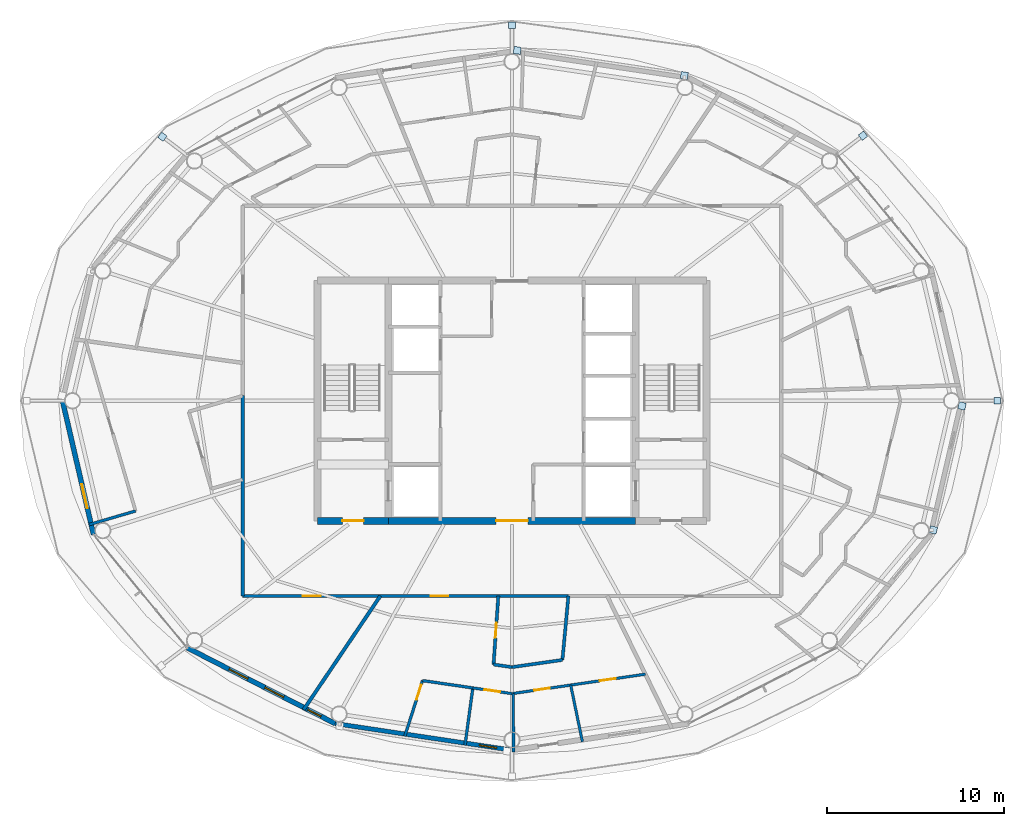
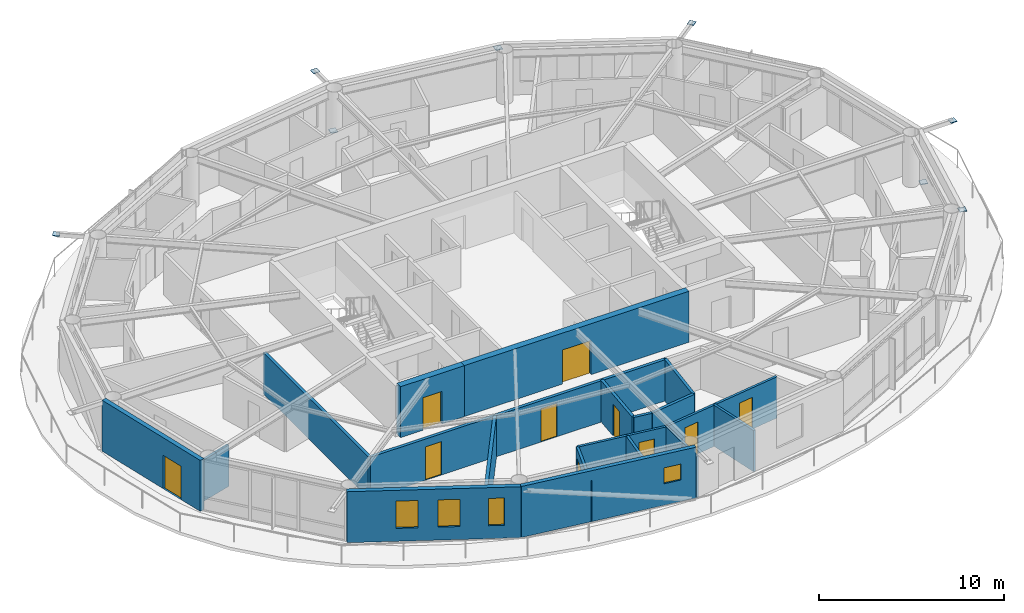
# One storey, part 15 of 23: 20 walls, 10 doors, 8 plates, 4 windows, 14 openings.
"""IFC4 building model written with IfcOpenShell, lengths in metres."""

from ifc_helpers import new_model, si_unit, direction, frame, frame_2d, origin, origin_2d, place, context, subcontext, project, spatial, rectangle, extrude, material, layer, layer_set, type_object, element, fill, save


model = new_model("IFC4")

# Units and contexts
model_context = context("Model", 3, precision=1e-05, world=origin(), true_north=direction((0.0, 1.0)))
body_context = subcontext(model_context, "Body", "Model", "MODEL_VIEW")
ifc_project = project(units=[si_unit("LENGTHUNIT", "METRE"), si_unit("AREAUNIT", "SQUARE_METRE"), si_unit("VOLUMEUNIT", "CUBIC_METRE"), si_unit("PLANEANGLEUNIT", "RADIAN"), si_unit("MASSUNIT", "GRAM", prefix="KILO")], contexts=[model_context])

# Site, building, storey
site_placement = place(None, origin())
site = spatial("IfcSite", under=ifc_project, at=site_placement, CompositionType="ELEMENT")
building_placement = place(site_placement, origin())
building = spatial("IfcBuilding", under=site, at=building_placement, Name="Sarneth Arch Tower", CompositionType="ELEMENT")
storey_placement = place(building_placement, frame((0.0, 0.0, 231.60009765625)))
storey = spatial("IfcBuildingStorey", under=building, at=storey_placement, Name="L59", CompositionType="ELEMENT", Elevation=231.60009765625)

# Plates
ifc_material_1 = material(Name="Steel S355", Category="steel")
ifc_layer_1 = layer(ifc_material_1, 0.035888671875)
ifc_layer_set_1 = layer_set([ifc_layer_1], Name="Steel S355")
plate_type = type_object("IfcPlateType", Name="PLT-GUSSET-30", PredefinedType="SHEET", material=ifc_layer_set_1)
for number, where, z_axis, x_axis, name in (
    (1, (75.47900390625, 42.0, 3.18212890625), (0.0, 0.0, 1.0), (1.0, 0.0, 0.0), "Steel end cap plate GP-1"),
    (2, (67.86865234375, 57.006591796875, 3.18212890625), (0.0, 0.0, 1.0), (0.798004853043, 0.602651022168, 0.0), "Steel end cap plate GP-1"),
):
    element("IfcPlate", number, at=place(storey_placement, frame(where, z_axis=z_axis, x_axis=x_axis)), inside=storey, type_object=plate_type, Name=name, PredefinedType="SHEET", context=body_context, shape_type="SweptSolid", body=[
        extrude(rectangle(XDim=0.3798828125, YDim=0.3798828125, at=origin_2d()), origin(), (0.0, 0.0, 1.0), 0.035888671875),
    ])
for number, where, z_axis, x_axis, name in (
    (3, (48.296630859375, 61.83544921875, 0.001953125), (0.0, 0.0, 1.0), (-0.988860535448, 0.148845024885, 0.0), "Steel end cap plate GP-1"),
    (4, (57.754150390625, 60.411376953125, 3.0185546875), (0.0, 0.0, 1.0), (-0.988860535448, 0.148845024885, 0.0), "Steel end cap plate GP-1"),
):
    element("IfcPlate", number, at=place(storey_placement, frame(where, z_axis=z_axis, x_axis=x_axis)), inside=storey, type_object=plate_type, Name=name, PredefinedType="SHEET", context=body_context, shape_type="SweptSolid", body=[
        extrude(rectangle(XDim=0.404052734375, YDim=0.404052734375, at=origin_2d()), origin(), (0.0, 0.0, 1.0), 0.035888671875),
    ])
for number, where, z_axis, x_axis, name in (
    (5, (48.0, 63.254150390625, 3.18212890625), (0.0, 0.0, 1.0), (0.0, 1.0, 0.0), "Steel end cap plate GP-1"),
    (6, (28.20751953125, 56.948974609375, 3.18212890625), (0.0, 0.0, 1.0), (-0.798004853043, 0.602651022168, 0.0), "Steel end cap plate GP-1"),
):
    element("IfcPlate", number, at=place(storey_placement, frame(where, z_axis=z_axis, x_axis=x_axis)), inside=storey, type_object=plate_type, Name=name, PredefinedType="SHEET", context=body_context, shape_type="SweptSolid", body=[
        extrude(rectangle(XDim=0.3798828125, YDim=0.3798828125, at=origin_2d()), origin(), (0.0, 0.0, 1.0), 0.035888671875),
    ])
for number, where, z_axis, x_axis, name in (
    (7, (73.4765625, 41.707763671875, 0.001953125), (0.0, 0.0, 1.0), (0.225461202458, 0.974252147129, 0.0), "Steel end cap plate GP-1"),
    (8, (71.851806640625, 34.6845703125, 3.0185546875), (0.0, 0.0, 1.0), (0.225461202458, 0.974252147129, 0.0), "Steel end cap plate GP-1"),
):
    element("IfcPlate", number, at=place(storey_placement, frame(where, z_axis=z_axis, x_axis=x_axis)), inside=storey, type_object=plate_type, Name=name, PredefinedType="SHEET", context=body_context, shape_type="SweptSolid", body=[
        extrude(rectangle(XDim=0.404052734375, YDim=0.404052734375, at=origin_2d()), origin(), (0.0, 0.0, 1.0), 0.035888671875),
    ])

# Wall, opening, door
ifc_material_2 = material(Name="Concrete C50/60", Category="concrete")
ifc_layer_2 = layer(ifc_material_2, 0.39990234375)
ifc_layer_set_2 = layer_set([ifc_layer_2], Name="Concrete C50/60")
wall_type_1 = type_object("IfcWallType", Name="WALL-CORE-400", PredefinedType="SHEAR", material=ifc_layer_set_2)
wall_1_placement = place(storey_placement, frame((37.0, 35.199951171875, 0.0), z_axis=(0.0, 0.0, 1.0), x_axis=(1.0, 0.0, 0.0)))
wall_1 = element("IfcWall", 9, at=wall_1_placement, inside=storey, type_object=wall_type_1, Name="L59 Core shear wall S-W", PredefinedType="SHEAR", context=body_context, shape_type="SweptSolid", body=[
    extrude(rectangle(XDim=4.0, YDim=0.39990234375, at=frame_2d((2.0, 0.0))), origin(), (0.0, 0.0, 1.0), 3.35986328125),
])
opening_1_placement = place(wall_1_placement, frame((1.39990234375, 0.0, 0.0)))
opening_1 = element("IfcOpeningElement", 10, at=opening_1_placement, cuts=wall_1, Name="Opening FD-02", PredefinedType="OPENING", context=body_context, shape_type="SweptSolid", body=[
    extrude(rectangle(XDim=1.199951171875, YDim=2.14990234375, at=frame_2d((0.60009765625, 1.074951171875))), frame((0.0, 0.2099609375, 0.0), z_axis=(0.0, -1.0, 0.0), x_axis=(1.0, 0.0, 0.0)), (0.0, 0.0, 1.0), 0.419921875),
])
ifc_material_3 = material(Name="Galvanised Steel S275 fire door set", Category="steel")
door_type_1 = type_object("IfcDoorType", Name="DR-FD90-1200", OperationType="SINGLE_SWING_LEFT", PredefinedType="DOOR", material=ifc_material_3)
door_1_placement = place(opening_1_placement, origin())
door_1 = element("IfcDoor", 11, at=door_1_placement, inside=storey, type_object=door_type_1, Name="L59 Firefighting lobby 1 exit door", OperationType="SINGLE_SWING_LEFT", OverallHeight=2.14990234375, OverallWidth=1.199951171875, PredefinedType="DOOR", context=body_context, shape_type="SweptSolid", body=[
    extrude(rectangle(XDim=1.199951171875, YDim=2.14990234375, at=frame_2d((0.60009765625, 1.074951171875))), frame((0.0, 0.02490234375, 0.0), z_axis=(0.0, -1.0, 0.0), x_axis=(1.0, 0.0, 0.0)), (0.0, 0.0, 1.0), 0.050048828125),
])
fill(opening_1, door_1)

wall_2_placement = place(storey_placement, frame((41.0, 35.199951171875, 0.0), z_axis=(0.0, 0.0, 1.0), x_axis=(1.0, 0.0, 0.0)))
wall_2 = element("IfcWall", 12, at=wall_2_placement, inside=storey, type_object=wall_type_1, Name="L59 Core shear wall S-M", PredefinedType="SHEAR", context=body_context, shape_type="SweptSolid", body=[
    extrude(rectangle(XDim=14.0, YDim=0.39990234375, at=frame_2d((7.0, 0.0))), origin(), (0.0, 0.0, 1.0), 3.35986328125),
])
opening_2_placement = place(wall_2_placement, frame((6.10009765625, 0.0, 0.0)))
opening_2 = element("IfcOpeningElement", 13, at=opening_2_placement, cuts=wall_2, Name="Opening FD-01", PredefinedType="OPENING", context=body_context, shape_type="SweptSolid", body=[
    extrude(rectangle(XDim=1.800048828125, YDim=2.25, at=frame_2d((0.89990234375, 1.125))), frame((0.0, 0.2099609375, 0.0), z_axis=(0.0, -1.0, 0.0), x_axis=(1.0, 0.0, 0.0)), (0.0, 0.0, 1.0), 0.419921875),
])
ifc_material_4 = material(Name="Galvanised Steel S275 fire door set", Category="steel")
door_type_2 = type_object("IfcDoorType", Name="DR-FD90-1800", OperationType="DOUBLE_DOOR_SINGLE_SWING", PredefinedType="DOOR", material=ifc_material_4)
door_2_placement = place(opening_2_placement, origin())
door_2 = element("IfcDoor", 14, at=door_2_placement, inside=storey, type_object=door_type_2, Name="L59 Central lift lobby south door", OperationType="DOUBLE_DOOR_SINGLE_SWING", OverallHeight=2.25, OverallWidth=1.800048828125, PredefinedType="DOOR", context=body_context, shape_type="SweptSolid", body=[
    extrude(rectangle(XDim=1.800048828125, YDim=2.25, at=frame_2d((0.89990234375, 1.125))), frame((0.0, 0.02490234375, 0.0), z_axis=(0.0, -1.0, 0.0), x_axis=(1.0, 0.0, 0.0)), (0.0, 0.0, 1.0), 0.050048828125),
])
fill(opening_2, door_2)

# Wall, openings, doors
ifc_material_5 = material(Name="Double steel-stud corridor fire wall", Category="steel")
ifc_layer_3 = layer(ifc_material_5, 0.18994140625)
ifc_layer_set_3 = layer_set([ifc_layer_3], Name="Double steel-stud corridor fire wall")
wall_type_2 = type_object("IfcWallType", Name="WALL-CORR-190", PredefinedType="PARTITIONING", material=ifc_layer_set_3)
wall_3_placement = place(storey_placement, frame((51.2255859375, 30.949951171875, 0.0), z_axis=(0.0, 0.0, 1.0), x_axis=(-1.0, 0.0, 0.0)))
wall_3 = element("IfcWall", 15, at=wall_3_placement, inside=storey, type_object=wall_type_2, Name="L59 Interior partition W-L59-TP-010", PredefinedType="PARTITIONING", context=body_context, shape_type="SweptSolid", body=[
    extrude(rectangle(XDim=18.4755859375, YDim=0.18994140625, at=frame_2d((9.23779296875, 0.0))), origin(), (0.0, 0.0, 1.0), 2.719970703125),
])
opening_3_placement = place(wall_3_placement, frame((14.057861328125, 0.0, 0.0)))
opening_3 = element("IfcOpeningElement", 16, at=opening_3_placement, cuts=wall_3, Name="Opening FD-08", PredefinedType="OPENING", context=body_context, shape_type="SweptSolid", body=[
    extrude(rectangle(XDim=1.0, YDim=2.199951171875, at=frame_2d((0.5, 1.10009765625))), frame((0.0, 0.10498046875, 0.0), z_axis=(0.0, -1.0, 0.0), x_axis=(1.0, 0.0, 0.0)), (0.0, 0.0, 1.0), 0.2099609375),
])
opening_4_placement = place(wall_3_placement, frame((6.838623046875, 0.0, 0.0)))
opening_4 = element("IfcOpeningElement", 17, at=opening_4_placement, cuts=wall_3, Name="Opening FD-08", PredefinedType="OPENING", context=body_context, shape_type="SweptSolid", body=[
    extrude(rectangle(XDim=1.0, YDim=2.199951171875, at=frame_2d((0.5, 1.10009765625))), frame((0.0, 0.10498046875, 0.0), z_axis=(0.0, -1.0, 0.0), x_axis=(1.0, 0.0, 0.0)), (0.0, 0.0, 1.0), 0.2099609375),
])
ifc_material_6 = material(Name="Hardwood timber acoustic fire door", Category="wood")
door_type_3 = type_object("IfcDoorType", Name="DR-FD60-1000", OperationType="SINGLE_SWING_LEFT", PredefinedType="DOOR", material=ifc_material_6)
door_3_placement = place(opening_3_placement, origin())
door_3 = element("IfcDoor", 18, at=door_3_placement, inside=storey, type_object=door_type_3, Name="L59 Interior door DR-L59-U4-ENT", OperationType="SINGLE_SWING_RIGHT", OverallHeight=2.199951171875, OverallWidth=1.0, PredefinedType="DOOR", context=body_context, shape_type="SweptSolid", body=[
    extrude(rectangle(XDim=1.0, YDim=2.199951171875, at=frame_2d((0.5, 1.10009765625))), frame((0.0, 0.02490234375, 0.0), z_axis=(0.0, -1.0, 0.0), x_axis=(1.0, 0.0, 0.0)), (0.0, 0.0, 1.0), 0.050048828125),
])
fill(opening_3, door_3)
door_4_placement = place(opening_4_placement, origin())
door_4 = element("IfcDoor", 19, at=door_4_placement, inside=storey, type_object=door_type_3, Name="L59 Interior door DR-L59-U5-ENT", OperationType="SINGLE_SWING_RIGHT", OverallHeight=2.199951171875, OverallWidth=1.0, PredefinedType="DOOR", context=body_context, shape_type="SweptSolid", body=[
    extrude(rectangle(XDim=1.0, YDim=2.199951171875, at=frame_2d((0.5, 1.10009765625))), frame((0.0, 0.02490234375, 0.0), z_axis=(0.0, -1.0, 0.0), x_axis=(1.0, 0.0, 0.0)), (0.0, 0.0, 1.0), 0.050048828125),
])
fill(opening_4, door_4)

# Wall
wall_4_placement = place(storey_placement, frame((32.75, 30.949951171875, 0.0), z_axis=(0.0, 0.0, 1.0), x_axis=(0.0, 1.0, 0.0)))
element("IfcWall", 20, at=wall_4_placement, inside=storey, type_object=wall_type_2, Name="L59 Interior partition W-L59-TP-011", PredefinedType="PARTITIONING", context=body_context, shape_type="SweptSolid", body=[
    extrude(rectangle(XDim=11.359619140625, YDim=0.18994140625, at=frame_2d((5.6796875, 0.0))), origin(), (0.0, 0.0, 1.0), 2.719970703125),
])

# Wall, opening, window
ifc_material_7 = material(Name="Extruded terracotta rainscreen on Concrete C40/50 backing", Category="masonry")
ifc_layer_4 = layer(ifc_material_7, 0.25)
ifc_layer_set_4 = layer_set([ifc_layer_4], Name="Extruded terracotta rainscreen on Concrete C40/50 backing")
wall_type_3 = type_object("IfcWallType", Name="WALL-EXT-SPAND-250", PredefinedType="SOLIDWALL", material=ifc_layer_set_4)
wall_5_placement = place(storey_placement, frame((37.9873046875, 23.7255859375, 0.0), z_axis=(0.0, 0.0, 1.0), x_axis=(0.988882522213, -0.148698881169, 0.0)))
wall_5 = element("IfcWall", 21, at=wall_5_placement, inside=storey, type_object=wall_type_3, Name="L59 Terracotta perimeter wall 12", PredefinedType="SOLIDWALL", context=body_context, shape_type="SweptSolid", body=[
    extrude(rectangle(XDim=10.125244140625, YDim=0.25, at=frame_2d((5.0625, 0.0))), origin(), (0.0, 0.0, 1.0), 3.35986328125),
])
opening_5_placement = place(wall_5_placement, frame((8.259033203125, 0.0, 1.419921875)))
opening_5 = element("IfcOpeningElement", 22, at=opening_5_placement, cuts=wall_5, Name="Opening W-14", PredefinedType="OPENING", context=body_context, shape_type="SweptSolid", body=[
    extrude(rectangle(XDim=1.0, YDim=1.050048828125, at=frame_2d((0.5, 0.52490234375))), frame((0.0, 0.135009765625, 0.0), z_axis=(0.0, -1.0, 0.0), x_axis=(1.0, 0.0, 0.0)), (0.0, 0.0, 1.0), 0.27001953125),
])
ifc_material_8 = material(Name="Thermally broken Aluminium 6063-T6 and low-e laminated IGU", Category="aluminium")
window_type_1 = type_object("IfcWindowType", Name="WIN-TWR-1000x1050", PartitioningType="SINGLE_PANEL", PredefinedType="WINDOW", material=ifc_material_8)
window_1_placement = place(opening_5_placement, origin())
window_1 = element("IfcWindow", 23, at=window_1_placement, inside=storey, type_object=window_type_1, Name="L59 Dwelling bedroom window 05", OverallHeight=1.050048828125, OverallWidth=1.0, PartitioningType="SINGLE_PANEL", PredefinedType="WINDOW", context=body_context, shape_type="SweptSolid", body=[
    extrude(rectangle(XDim=1.0, YDim=1.050048828125, at=frame_2d((0.5, 0.52490234375))), frame((0.0, 0.030029296875, 0.0), z_axis=(0.0, -1.0, 0.0), x_axis=(1.0, 0.0, 0.0)), (0.0, 0.0, 1.0), 0.06005859375),
])
fill(opening_5, window_1)

# Wall, opening, door
ifc_material_9 = material(Name="Extruded terracotta rainscreen on Concrete C40/50 backing", Category="masonry")
ifc_layer_5 = layer(ifc_material_9, 0.280029296875)
ifc_layer_set_5 = layer_set([ifc_layer_5], Name="Extruded terracotta rainscreen on Concrete C40/50 backing")
wall_type_4 = type_object("IfcWallType", Name="WALL-EXT-TERRA-280", PredefinedType="SOLIDWALL", material=ifc_layer_set_5)
wall_6_placement = place(storey_placement, frame((22.552978515625, 42.0, 0.0), z_axis=(0.0, 0.0, 1.0), x_axis=(0.225635078214, -0.974211892495, 0.0)))
wall_6 = element("IfcWall", 24, at=wall_6_placement, inside=storey, type_object=wall_type_4, Name="L59 Terracotta perimeter wall 09", PredefinedType="SOLIDWALL", context=body_context, shape_type="SweptSolid", body=[
    extrude(rectangle(XDim=7.77001953125, YDim=0.280029296875, at=frame_2d((3.885009765625, 0.0))), origin(), (0.0, 0.0, 1.0), 3.35986328125),
])
opening_6_placement = place(wall_6_placement, frame((4.842041015625, 0.0, 0.0)))
opening_6 = element("IfcOpeningElement", 25, at=opening_6_placement, cuts=wall_6, Name="Opening BD-2", PredefinedType="OPENING", context=body_context, shape_type="SweptSolid", body=[
    extrude(rectangle(XDim=1.39990234375, YDim=2.199951171875, at=frame_2d((0.699951171875, 1.10009765625))), frame((0.0, 0.14990234375, 0.0), z_axis=(0.0, -1.0, 0.0), x_axis=(1.0, 0.0, 0.0)), (0.0, 0.0, 1.0), 0.300048828125),
])
ifc_material_10 = material(Name="Thermally broken Aluminium 6063-T6 and laminated safety glass", Category="aluminium")
door_type_4 = type_object("IfcDoorType", Name="DR-BALC-GLZ-1400", OperationType="SINGLE_SWING_LEFT", PredefinedType="DOOR", material=ifc_material_10)
door_5_placement = place(opening_6_placement, origin())
door_5 = element("IfcDoor", 26, at=door_5_placement, inside=storey, type_object=door_type_4, Name="L59 Balcony glazed door 09", OperationType="SINGLE_SWING_LEFT", OverallHeight=2.199951171875, OverallWidth=1.39990234375, PredefinedType="DOOR", context=body_context, shape_type="SweptSolid", body=[
    extrude(rectangle(XDim=1.39990234375, YDim=2.199951171875, at=frame_2d((0.699951171875, 1.10009765625))), frame((0.0, 0.02490234375, 0.0), z_axis=(0.0, -1.0, 0.0), x_axis=(1.0, 0.0, 0.0)), (0.0, 0.0, 1.0), 0.050048828125),
])
fill(opening_6, door_5)

# Wall, openings, windows
wall_7_placement = place(storey_placement, frame((29.617431640625, 28.013427734375, 0.0), z_axis=(0.0, 0.0, 1.0), x_axis=(0.890007394051, -0.455946091699, 0.0)))
wall_7 = element("IfcWall", 27, at=wall_7_placement, inside=storey, type_object=wall_type_4, Name="L59 Terracotta perimeter wall 11", PredefinedType="SOLIDWALL", context=body_context, shape_type="SweptSolid", body=[
    extrude(rectangle(XDim=9.404296875, YDim=0.280029296875, at=frame_2d((4.7021484375, 0.0))), origin(), (0.0, 0.0, 1.0), 3.35986328125),
])
opening_7_placement = place(wall_7_placement, frame((2.653076171875, 0.0, 0.85009765625)))
opening_7 = element("IfcOpeningElement", 28, at=opening_7_placement, cuts=wall_7, Name="Opening W-09", PredefinedType="OPENING", context=body_context, shape_type="SweptSolid", body=[
    extrude(rectangle(XDim=1.199951171875, YDim=1.800048828125, at=frame_2d((0.60009765625, 0.89990234375))), frame((0.0, 0.14990234375, 0.0), z_axis=(0.0, -1.0, 0.0), x_axis=(1.0, 0.0, 0.0)), (0.0, 0.0, 1.0), 0.300048828125),
])
opening_8_placement = place(wall_7_placement, frame((4.930419921875, 0.0, 0.85009765625)))
opening_8 = element("IfcOpeningElement", 29, at=opening_8_placement, cuts=wall_7, Name="Opening W-09", PredefinedType="OPENING", context=body_context, shape_type="SweptSolid", body=[
    extrude(rectangle(XDim=1.199951171875, YDim=1.800048828125, at=frame_2d((0.60009765625, 0.89990234375))), frame((0.0, 0.14990234375, 0.0), z_axis=(0.0, -1.0, 0.0), x_axis=(1.0, 0.0, 0.0)), (0.0, 0.0, 1.0), 0.300048828125),
])
opening_9_placement = place(wall_7_placement, frame((7.66259765625, 0.0, 0.85009765625)))
opening_9 = element("IfcOpeningElement", 30, at=opening_9_placement, cuts=wall_7, Name="Opening W-12", PredefinedType="OPENING", context=body_context, shape_type="SweptSolid", body=[
    extrude(rectangle(XDim=0.85009765625, YDim=1.800048828125, at=frame_2d((0.425048828125, 0.89990234375))), frame((0.0, 0.14990234375, 0.0), z_axis=(0.0, -1.0, 0.0), x_axis=(1.0, 0.0, 0.0)), (0.0, 0.0, 1.0), 0.300048828125),
])
ifc_material_11 = material(Name="Thermally broken Aluminium 6063-T6 and low-e laminated IGU", Category="aluminium")
window_type_2 = type_object("IfcWindowType", Name="WIN-TWR-1200x1800", PartitioningType="SINGLE_PANEL", PredefinedType="WINDOW", material=ifc_material_11)
window_2_placement = place(opening_7_placement, origin())
window_2 = element("IfcWindow", 31, at=window_2_placement, inside=storey, type_object=window_type_2, Name="L59 Exterior window 11A", OverallHeight=1.800048828125, OverallWidth=1.199951171875, PartitioningType="SINGLE_PANEL", PredefinedType="WINDOW", context=body_context, shape_type="SweptSolid", body=[
    extrude(rectangle(XDim=1.199951171875, YDim=1.800048828125, at=frame_2d((0.60009765625, 0.89990234375))), frame((0.0, 0.030029296875, 0.0), z_axis=(0.0, -1.0, 0.0), x_axis=(1.0, 0.0, 0.0)), (0.0, 0.0, 1.0), 0.06005859375),
])
fill(opening_7, window_2)
window_3_placement = place(opening_8_placement, origin())
window_3 = element("IfcWindow", 32, at=window_3_placement, inside=storey, type_object=window_type_2, Name="L59 Exterior window 11B", OverallHeight=1.800048828125, OverallWidth=1.199951171875, PartitioningType="SINGLE_PANEL", PredefinedType="WINDOW", context=body_context, shape_type="SweptSolid", body=[
    extrude(rectangle(XDim=1.199951171875, YDim=1.800048828125, at=frame_2d((0.60009765625, 0.89990234375))), frame((0.0, 0.030029296875, 0.0), z_axis=(0.0, -1.0, 0.0), x_axis=(1.0, 0.0, 0.0)), (0.0, 0.0, 1.0), 0.06005859375),
])
fill(opening_8, window_3)
ifc_material_12 = material(Name="Thermally broken Aluminium 6063-T6 and low-e laminated IGU", Category="aluminium")
window_type_3 = type_object("IfcWindowType", Name="WIN-TWR-850x1800", PartitioningType="SINGLE_PANEL", PredefinedType="WINDOW", material=ifc_material_12)
window_4_placement = place(opening_9_placement, origin())
window_4 = element("IfcWindow", 33, at=window_4_placement, inside=storey, type_object=window_type_3, Name="L59 Dwelling bedroom window 04", OverallHeight=1.800048828125, OverallWidth=0.85009765625, PartitioningType="SINGLE_PANEL", PredefinedType="WINDOW", context=body_context, shape_type="SweptSolid", body=[
    extrude(rectangle(XDim=0.85009765625, YDim=1.800048828125, at=frame_2d((0.425048828125, 0.89990234375))), frame((0.0, 0.030029296875, 0.0), z_axis=(0.0, -1.0, 0.0), x_axis=(1.0, 0.0, 0.0)), (0.0, 0.0, 1.0), 0.06005859375),
])
fill(opening_9, window_4)

# Wall, openings, doors
ifc_material_13 = material(Name="Acoustic gypsum stud partition", Category="gypsum")
ifc_layer_6 = layer(ifc_material_13, 0.14990234375)
ifc_layer_set_6 = layer_set([ifc_layer_6], Name="Acoustic gypsum stud partition")
wall_type_5 = type_object("IfcWallType", Name="WALL-PART-150", PredefinedType="PARTITIONING", material=ifc_layer_set_6)
wall_8_placement = place(storey_placement, frame((55.5498046875, 26.52099609375, 0.0), z_axis=(0.0, 0.0, 1.0), x_axis=(-0.989535469331, -0.144289829636, 0.0)))
wall_8 = element("IfcWall", 34, at=wall_8_placement, inside=storey, type_object=wall_type_5, Name="L59 Interior partition W-L59-TP-088", PredefinedType="PARTITIONING", context=body_context, shape_type="SweptSolid", body=[
    extrude(rectangle(XDim=7.588623046875, YDim=0.14990234375, at=frame_2d((3.79443359375, 0.0))), origin(), (0.0, 0.0, 1.0), 2.719970703125),
])
opening_10_placement = place(wall_8_placement, frame((1.701416015625, 0.0, 0.0)))
opening_10 = element("IfcOpeningElement", 35, at=opening_10_placement, cuts=wall_8, Name="Opening ID-01", PredefinedType="OPENING", context=body_context, shape_type="SweptSolid", body=[
    extrude(rectangle(XDim=0.89990234375, YDim=2.10009765625, at=frame_2d((0.449951171875, 1.050048828125))), frame((0.0, 0.0849609375, 0.0), z_axis=(0.0, -1.0, 0.0), x_axis=(1.0, 0.0, 0.0)), (0.0, 0.0, 1.0), 0.169921875),
])
opening_11_placement = place(wall_8_placement, frame((5.463623046875, 0.0, 0.0)))
opening_11 = element("IfcOpeningElement", 36, at=opening_11_placement, cuts=wall_8, Name="Opening ID-01", PredefinedType="OPENING", context=body_context, shape_type="SweptSolid", body=[
    extrude(rectangle(XDim=0.89990234375, YDim=2.10009765625, at=frame_2d((0.449951171875, 1.050048828125))), frame((0.0, 0.0849609375, 0.0), z_axis=(0.0, -1.0, 0.0), x_axis=(1.0, 0.0, 0.0)), (0.0, 0.0, 1.0), 0.169921875),
])
ifc_material_14 = material(Name="Engineered hardwood flush door", Category="wood")
door_type_5 = type_object("IfcDoorType", Name="DR-INT-900", OperationType="SINGLE_SWING_LEFT", PredefinedType="DOOR", material=ifc_material_14)
door_6_placement = place(opening_10_placement, origin())
door_6 = element("IfcDoor", 37, at=door_6_placement, inside=storey, type_object=door_type_5, Name="L59 Interior door DR-L59-U5-BED3", OperationType="SINGLE_SWING_RIGHT", OverallHeight=2.10009765625, OverallWidth=0.89990234375, PredefinedType="DOOR", context=body_context, shape_type="SweptSolid", body=[
    extrude(rectangle(XDim=0.89990234375, YDim=2.10009765625, at=frame_2d((0.449951171875, 1.050048828125))), frame((0.0, 0.02490234375, 0.0), z_axis=(0.0, -1.0, 0.0), x_axis=(1.0, 0.0, 0.0)), (0.0, 0.0, 1.0), 0.050048828125),
])
fill(opening_10, door_6)
door_7_placement = place(opening_11_placement, origin())
door_7 = element("IfcDoor", 38, at=door_7_placement, inside=storey, type_object=door_type_5, Name="L59 Interior door DR-L59-U5-BED2", OperationType="SINGLE_SWING_LEFT", OverallHeight=2.10009765625, OverallWidth=0.89990234375, PredefinedType="DOOR", context=body_context, shape_type="SweptSolid", body=[
    extrude(rectangle(XDim=0.89990234375, YDim=2.10009765625, at=frame_2d((0.449951171875, 1.050048828125))), frame((0.0, 0.02490234375, 0.0), z_axis=(0.0, -1.0, 0.0), x_axis=(1.0, 0.0, 0.0)), (0.0, 0.0, 1.0), 0.050048828125),
])
fill(opening_11, door_7)

# Walls
wall_9_placement = place(storey_placement, frame((48.087158203125, 22.113037109375, 0.0), z_axis=(0.0, 0.0, 1.0), x_axis=(-0.004415292895, 0.999990252547, 0.0)))
element("IfcWall", 39, at=wall_9_placement, inside=storey, type_object=wall_type_5, Name="L59 Interior partition W-L59-TP-091", PredefinedType="PARTITIONING", context=body_context, shape_type="SweptSolid", body=[
    extrude(rectangle(XDim=3.317626953125, YDim=0.14990234375, at=frame_2d((1.65869140625, 0.0))), origin(), (0.0, 0.0, 1.0), 2.719970703125),
])
wall_10_placement = place(storey_placement, frame((51.32373046875, 25.90478515625, 0.0), z_axis=(0.0, 0.0, 1.0), x_axis=(0.202292458381, -0.979325156055, 0.0)))
element("IfcWall", 40, at=wall_10_placement, inside=storey, type_object=wall_type_5, Name="L59 Interior partition W-L59-TP-092", PredefinedType="PARTITIONING", context=body_context, shape_type="SweptSolid", body=[
    extrude(rectangle(XDim=3.274169921875, YDim=0.14990234375, at=frame_2d((1.63720703125, 0.0))), origin(), (0.0, 0.0, 1.0), 2.719970703125),
])

# Wall, opening, door
wall_11_placement = place(storey_placement, frame((45.783203125, 25.743408203125, 0.0), z_axis=(0.0, 0.0, 1.0), x_axis=(0.989520009013, -0.144395816293, 0.0)))
wall_11 = element("IfcWall", 41, at=wall_11_placement, inside=storey, type_object=wall_type_5, Name="L59 Interior partition W-L59-TP-086", PredefinedType="PARTITIONING", context=body_context, shape_type="SweptSolid", body=[
    extrude(rectangle(XDim=2.240234375, YDim=0.14990234375, at=frame_2d((1.1201171875, 0.0))), origin(), (0.0, 0.0, 1.0), 2.719970703125),
])
opening_12_placement = place(wall_11_placement, frame((0.670166015625, 0.0, 0.0)))
opening_12 = element("IfcOpeningElement", 42, at=opening_12_placement, cuts=wall_11, Name="Opening ID-01", PredefinedType="OPENING", context=body_context, shape_type="SweptSolid", body=[
    extrude(rectangle(XDim=0.89990234375, YDim=2.10009765625, at=frame_2d((0.449951171875, 1.050048828125))), frame((0.0, 0.0849609375, 0.0), z_axis=(0.0, -1.0, 0.0), x_axis=(1.0, 0.0, 0.0)), (0.0, 0.0, 1.0), 0.169921875),
])
door_8_placement = place(opening_12_placement, origin())
door_8 = element("IfcDoor", 43, at=door_8_placement, inside=storey, type_object=door_type_5, Name="L59 Interior door DR-L59-U5-BED1", OperationType="SINGLE_SWING_RIGHT", OverallHeight=2.10009765625, OverallWidth=0.89990234375, PredefinedType="DOOR", context=body_context, shape_type="SweptSolid", body=[
    extrude(rectangle(XDim=0.89990234375, YDim=2.10009765625, at=frame_2d((0.449951171875, 1.050048828125))), frame((0.0, 0.02490234375, 0.0), z_axis=(0.0, -1.0, 0.0), x_axis=(1.0, 0.0, 0.0)), (0.0, 0.0, 1.0), 0.050048828125),
])
fill(opening_12, door_8)

ifc_material_15 = material(Name="Kitchen wet service chase wall", Category="gypsum")
ifc_layer_7 = layer(ifc_material_15, 0.159912109375)
ifc_layer_set_7 = layer_set([ifc_layer_7], Name="Kitchen wet service chase wall")
wall_type_6 = type_object("IfcWallType", Name="WALL-PLUMB-160", PredefinedType="PLUMBINGWALL", material=ifc_layer_set_7)
wall_12_placement = place(storey_placement, frame((41.931396484375, 23.0126953125, 0.0), z_axis=(0.0, 0.0, 1.0), x_axis=(0.304448437733, 0.952528817812, 0.0)))
wall_12 = element("IfcWall", 44, at=wall_12_placement, inside=storey, type_object=wall_type_6, Name="L59 Interior partition W-L59-TP-080", PredefinedType="PLUMBINGWALL", context=body_context, shape_type="SweptSolid", body=[
    extrude(rectangle(XDim=3.30224609375, YDim=0.159912109375, at=frame_2d((1.651123046875, 0.0))), origin(), (0.0, 0.0, 1.0), 2.719970703125),
])
opening_13_placement = place(wall_12_placement, frame((2.1611328125, 0.0, 0.0)))
opening_13 = element("IfcOpeningElement", 45, at=opening_13_placement, cuts=wall_12, Name="Opening ID-01", PredefinedType="OPENING", context=body_context, shape_type="SweptSolid", body=[
    extrude(rectangle(XDim=0.89990234375, YDim=2.10009765625, at=frame_2d((0.449951171875, 1.050048828125))), frame((0.0, 0.08984375, 0.0), z_axis=(0.0, -1.0, 0.0), x_axis=(1.0, 0.0, 0.0)), (0.0, 0.0, 1.0), 0.179931640625),
])
door_9_placement = place(opening_13_placement, origin())
door_9 = element("IfcDoor", 46, at=door_9_placement, inside=storey, type_object=door_type_5, Name="L59 Interior door DR-L59-U5-KIT", OperationType="SINGLE_SWING_RIGHT", OverallHeight=2.10009765625, OverallWidth=0.89990234375, PredefinedType="DOOR", context=body_context, shape_type="SweptSolid", body=[
    extrude(rectangle(XDim=0.89990234375, YDim=2.10009765625, at=frame_2d((0.449951171875, 1.050048828125))), frame((0.0, 0.02490234375, 0.0), z_axis=(0.0, -1.0, 0.0), x_axis=(1.0, 0.0, 0.0)), (0.0, 0.0, 1.0), 0.050048828125),
])
fill(opening_13, door_9)

# Walls
wall_13_placement = place(storey_placement, frame((45.3408203125, 22.49853515625, 0.0), z_axis=(0.0, 0.0, 1.0), x_axis=(0.135083263994, 0.990834250412, 0.0)))
element("IfcWall", 47, at=wall_13_placement, inside=storey, type_object=wall_type_6, Name="L59 Interior partition W-L59-TP-090", PredefinedType="PLUMBINGWALL", context=body_context, shape_type="SweptSolid", body=[
    extrude(rectangle(XDim=3.27490234375, YDim=0.159912109375, at=frame_2d((1.637451171875, 0.0))), origin(), (0.0, 0.0, 1.0), 2.719970703125),
])
wall_14_placement = place(storey_placement, frame((42.936767578125, 26.158203125, 0.0), z_axis=(0.0, 0.0, 1.0), x_axis=(0.989548377589, -0.144201277427, 0.0)))
element("IfcWall", 48, at=wall_14_placement, inside=storey, type_object=wall_type_6, Name="L59 Interior partition W-L59-TP-081", PredefinedType="PLUMBINGWALL", context=body_context, shape_type="SweptSolid", body=[
    extrude(rectangle(XDim=2.87646484375, YDim=0.159912109375, at=frame_2d((1.438232421875, 0.0))), origin(), (0.0, 0.0, 1.0), 2.719970703125),
])
wall_15_placement = place(storey_placement, frame((26.688232421875, 35.760009765625, 0.0), z_axis=(0.0, 0.0, 1.0), x_axis=(-0.959690607454, -0.281058602368, 0.0)))
element("IfcWall", 49, at=wall_15_placement, inside=storey, type_object=wall_type_6, Name="L59 Interior partition W-L59-TP-078", PredefinedType="PLUMBINGWALL", context=body_context, shape_type="SweptSolid", body=[
    extrude(rectangle(XDim=2.744873046875, YDim=0.159912109375, at=frame_2d((1.37255859375, 0.0))), origin(), (0.0, 0.0, 1.0), 2.719970703125),
])

# Wall, opening, door
ifc_material_16 = material(Name="Moisture-resistant plumbing chase wall", Category="gypsum")
ifc_layer_8 = layer(ifc_material_16, 0.179931640625)
ifc_layer_set_8 = layer_set([ifc_layer_8], Name="Moisture-resistant plumbing chase wall")
wall_type_7 = type_object("IfcWallType", Name="WALL-PLUMB-180", PredefinedType="PLUMBINGWALL", material=ifc_layer_set_8)
wall_16_placement = place(storey_placement, frame((47.227294921875, 30.949951171875, 0.0), z_axis=(0.0, 0.0, 1.0), x_axis=(-0.0697885329, -0.997561807948, 0.0)))
wall_16 = element("IfcWall", 50, at=wall_16_placement, inside=storey, type_object=wall_type_7, Name="L59 Interior partition W-L59-TP-082", PredefinedType="PLUMBINGWALL", context=body_context, shape_type="SweptSolid", body=[
    extrude(rectangle(XDim=3.89013671875, YDim=0.179931640625, at=frame_2d((1.945068359375, 0.0))), origin(), (0.0, 0.0, 1.0), 2.719970703125),
])
opening_14_placement = place(wall_16_placement, frame((1.52001953125, 0.0, 0.0)))
opening_14 = element("IfcOpeningElement", 51, at=opening_14_placement, cuts=wall_16, Name="Opening ID-02", PredefinedType="OPENING", context=body_context, shape_type="SweptSolid", body=[
    extrude(rectangle(XDim=0.85009765625, YDim=2.10009765625, at=frame_2d((0.425048828125, 1.050048828125))), frame((0.0, 0.099853515625, 0.0), z_axis=(0.0, -1.0, 0.0), x_axis=(1.0, 0.0, 0.0)), (0.0, 0.0, 1.0), 0.199951171875),
])
ifc_material_17 = material(Name="Moisture-resistant bathroom timber door", Category="wood")
door_type_6 = type_object("IfcDoorType", Name="DR-INT-850", OperationType="SINGLE_SWING_RIGHT", PredefinedType="DOOR", material=ifc_material_17)
door_10_placement = place(opening_14_placement, origin())
door_10 = element("IfcDoor", 52, at=door_10_placement, inside=storey, type_object=door_type_6, Name="L59 Interior door DR-L59-U5-BATH", OperationType="SINGLE_SWING_RIGHT", OverallHeight=2.10009765625, OverallWidth=0.85009765625, PredefinedType="DOOR", context=body_context, shape_type="SweptSolid", body=[
    extrude(rectangle(XDim=0.85009765625, YDim=2.10009765625, at=frame_2d((0.425048828125, 1.050048828125))), frame((0.0, 0.02490234375, 0.0), z_axis=(0.0, -1.0, 0.0), x_axis=(1.0, 0.0, 0.0)), (0.0, 0.0, 1.0), 0.050048828125),
])
fill(opening_14, door_10)

# Walls
wall_17_placement = place(storey_placement, frame((50.855224609375, 27.32861328125, 0.0), z_axis=(0.0, 0.0, 1.0), x_axis=(0.093035036072, 0.995662835534, 0.0)))
element("IfcWall", 53, at=wall_17_placement, inside=storey, type_object=wall_type_7, Name="L59 Interior partition W-L59-TP-085", PredefinedType="PLUMBINGWALL", context=body_context, shape_type="SweptSolid", body=[
    extrude(rectangle(XDim=3.63720703125, YDim=0.179931640625, at=frame_2d((1.818603515625, 0.0))), origin(), (0.0, 0.0, 1.0), 2.719970703125),
])
wall_18_placement = place(storey_placement, frame((48.0, 26.919921875, 0.0), z_axis=(0.0, 0.0, 1.0), x_axis=(0.989910519943, 0.141693904265, 0.0)))
element("IfcWall", 54, at=wall_18_placement, inside=storey, type_object=wall_type_7, Name="L59 Interior partition W-L59-TP-084", PredefinedType="PLUMBINGWALL", context=body_context, shape_type="SweptSolid", body=[
    extrude(rectangle(XDim=2.88427734375, YDim=0.179931640625, at=frame_2d((1.442138671875, 0.0))), origin(), (0.0, 0.0, 1.0), 2.719970703125),
])
wall_19_placement = place(storey_placement, frame((46.955810546875, 27.0693359375, 0.0), z_axis=(0.0, 0.0, 1.0), x_axis=(0.989917064499, -0.141648174766, 0.0)))
element("IfcWall", 55, at=wall_19_placement, inside=storey, type_object=wall_type_7, Name="L59 Interior partition W-L59-TP-083", PredefinedType="PLUMBINGWALL", context=body_context, shape_type="SweptSolid", body=[
    extrude(rectangle(XDim=1.054931640625, YDim=0.179931640625, at=frame_2d((0.52734375, 0.0))), origin(), (0.0, 0.0, 1.0), 2.719970703125),
])
ifc_material_18 = material(Name="Double steel-stud acoustic drywall", Category="steel")
ifc_layer_9 = layer(ifc_material_18, 0.199951171875)
ifc_layer_set_9 = layer_set([ifc_layer_9], Name="Double steel-stud acoustic drywall")
wall_type_8 = type_object("IfcWallType", Name="WALL-UNIT-200", PredefinedType="PARTITIONING", material=ifc_layer_set_9)
wall_20_placement = place(storey_placement, frame((36.20068359375, 24.507080078125, 0.0), z_axis=(0.0, 0.0, 1.0), x_axis=(0.559208454265, 0.8290270832, 0.0)))
element("IfcWall", 56, at=wall_20_placement, inside=storey, type_object=wall_type_8, Name="L59 Interior partition W-L59-TP-079", PredefinedType="PARTITIONING", context=body_context, shape_type="SweptSolid", body=[
    extrude(rectangle(XDim=7.771484375, YDim=0.199951171875, at=frame_2d((3.8857421875, 0.0))), origin(), (0.0, 0.0, 1.0), 2.719970703125),
])

save(model, "model.ifc")
